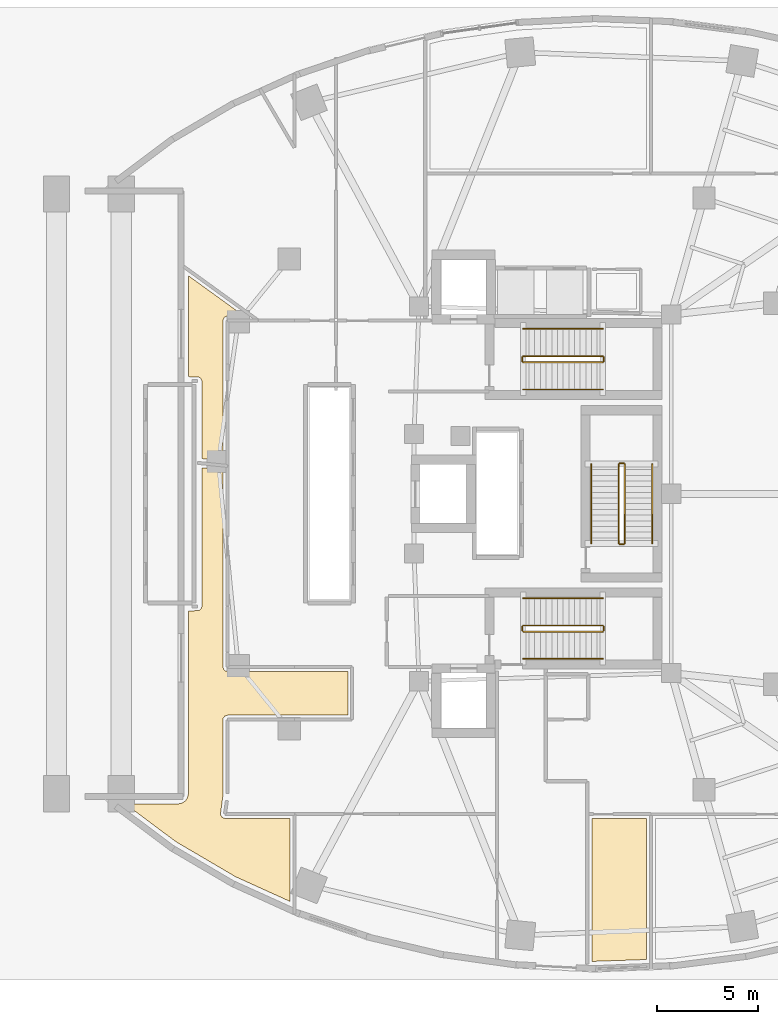
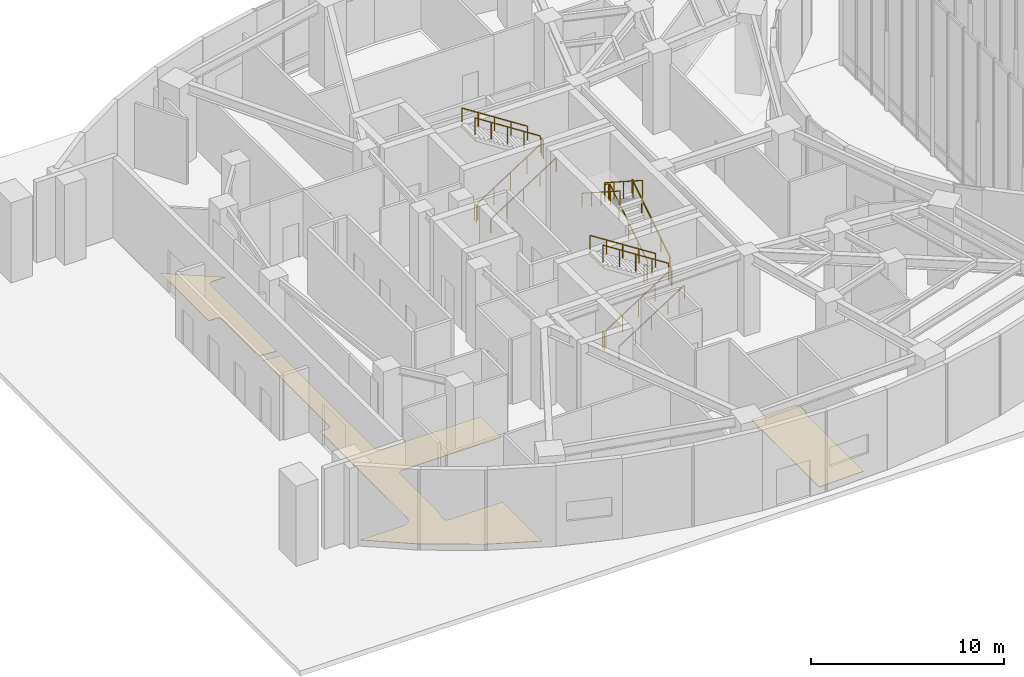
# One storey, part 24 of 28: 18 railings, 3 coverings.
"""IFC4 building model written with IfcOpenShell, lengths in metres."""

from ifc_helpers import new_model, si_unit, direction, frame, origin, origin_2d, place, context, subcontext, project, spatial, polyline, rectangle, outline, extrude, material, layer, layer_set, type_object, element, save


model = new_model("IFC4")

# Units and contexts
model_context = context("Model", 3, precision=1e-05, world=origin(), true_north=direction((0.0, 1.0)))
body_context = subcontext(model_context, "Body", "Model", "MODEL_VIEW")
ifc_project = project(units=[si_unit("LENGTHUNIT", "METRE"), si_unit("AREAUNIT", "SQUARE_METRE"), si_unit("VOLUMEUNIT", "CUBIC_METRE"), si_unit("PLANEANGLEUNIT", "RADIAN"), si_unit("MASSUNIT", "GRAM", prefix="KILO")], contexts=[model_context])

# Site, building, storey
site_placement = place(None, origin())
site = spatial("IfcSite", under=ifc_project, at=site_placement, CompositionType="ELEMENT")
building_placement = place(site_placement, origin())
building = spatial("IfcBuilding", under=site, at=building_placement, Name="Korentha Bioscience Tower", CompositionType="ELEMENT")
storey_placement = place(building_placement, origin())
storey = spatial("IfcBuildingStorey", under=building, at=storey_placement, Name="L00", CompositionType="ELEMENT", Elevation=0.0)

# Railings
ifc_material_1 = material(Name="Stainless Steel 304", Category="steel")
railing_type_1 = type_object("IfcRailingType", Name="Brushed Stainless Stair Handrail 900", PredefinedType="HANDRAIL", material=ifc_material_1)
railing_1_placement = place(storey_placement, frame((30.25, 32.14990234375, 0.179931640625)))
element("IfcRailing", 1, at=railing_1_placement, inside=storey, type_object=railing_type_1, Name="L00 ST-1 stair handrail 1", PredefinedType="HANDRAIL", context=body_context, shape_type="SweptSolid", body=[
    extrude(rectangle(XDim=0.048095703125, YDim=0.048095703125, at=origin_2d()), frame((0.0, 0.0, 0.8759765625), z_axis=(0.841171666519, 0.0, 0.540768182723), x_axis=(0.0, 1.0, 0.0)), (0.0, 0.0, 1.0), 4.66015625),
    extrude(rectangle(XDim=0.0419921875, YDim=0.0419921875, at=origin_2d()), origin(), (0.0, 0.0, 1.0), 0.851806640625),
    extrude(rectangle(XDim=0.0419921875, YDim=0.0419921875, at=origin_2d()), frame((0.97998046875, 0.0, 0.6298828125)), (0.0, 0.0, 1.0), 0.851806640625),
    extrude(rectangle(XDim=0.0419921875, YDim=0.0419921875, at=origin_2d()), frame((1.9599609375, 0.0, 1.260009765625)), (0.0, 0.0, 1.0), 0.851806640625),
    extrude(rectangle(XDim=0.0419921875, YDim=0.0419921875, at=origin_2d()), frame((2.93994140625, 0.0, 1.89013671875)), (0.0, 0.0, 1.0), 0.851806640625),
    extrude(rectangle(XDim=0.0419921875, YDim=0.0419921875, at=origin_2d()), frame((3.919921875, 0.0, 2.52001953125)), (0.0, 0.0, 1.0), 0.851806640625),
])
railing_2_placement = place(storey_placement, frame((34.169921875, 35.14990234375, 2.8798828125)))
element("IfcRailing", 2, at=railing_2_placement, inside=storey, type_object=railing_type_1, Name="L00 ST-1 stair handrail 2", PredefinedType="HANDRAIL", context=body_context, shape_type="SweptSolid", body=[
    extrude(rectangle(XDim=0.048095703125, YDim=0.048095703125, at=origin_2d()), frame((0.0, 0.0, 0.8759765625), z_axis=(-0.841171666519, 0.0, 0.540768182723), x_axis=(0.0, -1.0, 0.0)), (0.0, 0.0, 1.0), 4.66015625),
    extrude(rectangle(XDim=0.0419921875, YDim=0.0419921875, at=origin_2d()), origin(), (0.0, 0.0, 1.0), 0.851806640625),
    extrude(rectangle(XDim=0.0419921875, YDim=0.0419921875, at=origin_2d()), frame((-0.97998046875, 0.0, 0.6298828125)), (0.0, 0.0, 1.0), 0.851806640625),
    extrude(rectangle(XDim=0.0419921875, YDim=0.0419921875, at=origin_2d()), frame((-1.9599609375, 0.0, 1.260009765625)), (0.0, 0.0, 1.0), 0.851806640625),
    extrude(rectangle(XDim=0.0419921875, YDim=0.0419921875, at=origin_2d()), frame((-2.93994140625, 0.0, 1.89013671875)), (0.0, 0.0, 1.0), 0.851806640625),
    extrude(rectangle(XDim=0.0419921875, YDim=0.0419921875, at=origin_2d()), frame((-3.919921875, 0.0, 2.52001953125)), (0.0, 0.0, 1.0), 0.851806640625),
])
railing_3_placement = place(storey_placement, frame((30.25, 18.85009765625, 0.179931640625)))
element("IfcRailing", 3, at=railing_3_placement, inside=storey, type_object=railing_type_1, Name="L00 ST-2 stair handrail 1", PredefinedType="HANDRAIL", context=body_context, shape_type="SweptSolid", body=[
    extrude(rectangle(XDim=0.048095703125, YDim=0.048095703125, at=origin_2d()), frame((0.0, 0.0, 0.8759765625), z_axis=(0.841171666519, 0.0, 0.540768182723), x_axis=(0.0, 1.0, 0.0)), (0.0, 0.0, 1.0), 4.66015625),
    extrude(rectangle(XDim=0.0419921875, YDim=0.0419921875, at=origin_2d()), origin(), (0.0, 0.0, 1.0), 0.851806640625),
    extrude(rectangle(XDim=0.0419921875, YDim=0.0419921875, at=origin_2d()), frame((0.97998046875, 0.0, 0.6298828125)), (0.0, 0.0, 1.0), 0.851806640625),
    extrude(rectangle(XDim=0.0419921875, YDim=0.0419921875, at=origin_2d()), frame((1.9599609375, 0.0, 1.260009765625)), (0.0, 0.0, 1.0), 0.851806640625),
    extrude(rectangle(XDim=0.0419921875, YDim=0.0419921875, at=origin_2d()), frame((2.93994140625, 0.0, 1.89013671875)), (0.0, 0.0, 1.0), 0.851806640625),
    extrude(rectangle(XDim=0.0419921875, YDim=0.0419921875, at=origin_2d()), frame((3.919921875, 0.0, 2.52001953125)), (0.0, 0.0, 1.0), 0.851806640625),
])
railing_4_placement = place(storey_placement, frame((34.169921875, 21.85009765625, 2.8798828125)))
element("IfcRailing", 4, at=railing_4_placement, inside=storey, type_object=railing_type_1, Name="L00 ST-2 stair handrail 2", PredefinedType="HANDRAIL", context=body_context, shape_type="SweptSolid", body=[
    extrude(rectangle(XDim=0.048095703125, YDim=0.048095703125, at=origin_2d()), frame((0.0, 0.0, 0.8759765625), z_axis=(-0.841171666519, 0.0, 0.540768182723), x_axis=(0.0, -1.0, 0.0)), (0.0, 0.0, 1.0), 4.66015625),
    extrude(rectangle(XDim=0.0419921875, YDim=0.0419921875, at=origin_2d()), origin(), (0.0, 0.0, 1.0), 0.851806640625),
    extrude(rectangle(XDim=0.0419921875, YDim=0.0419921875, at=origin_2d()), frame((-0.97998046875, 0.0, 0.6298828125)), (0.0, 0.0, 1.0), 0.851806640625),
    extrude(rectangle(XDim=0.0419921875, YDim=0.0419921875, at=origin_2d()), frame((-1.9599609375, 0.0, 1.260009765625)), (0.0, 0.0, 1.0), 0.851806640625),
    extrude(rectangle(XDim=0.0419921875, YDim=0.0419921875, at=origin_2d()), frame((-2.93994140625, 0.0, 1.89013671875)), (0.0, 0.0, 1.0), 0.851806640625),
    extrude(rectangle(XDim=0.0419921875, YDim=0.0419921875, at=origin_2d()), frame((-3.919921875, 0.0, 2.52001953125)), (0.0, 0.0, 1.0), 0.851806640625),
])
railing_5_placement = place(storey_placement, frame((36.60009765625, 24.550048828125, 0.179931640625)))
element("IfcRailing", 5, at=railing_5_placement, inside=storey, type_object=railing_type_1, Name="L00 ST-3 stair handrail 1", PredefinedType="HANDRAIL", context=body_context, shape_type="SweptSolid", body=[
    extrude(rectangle(XDim=0.048095703125, YDim=0.048095703125, at=origin_2d()), frame((0.0, 0.0, 0.8759765625), z_axis=(0.0, 0.841171666519, 0.540768182723), x_axis=(-1.0, 0.0, 0.0)), (0.0, 0.0, 1.0), 4.66015625),
    extrude(rectangle(XDim=0.0419921875, YDim=0.0419921875, at=origin_2d()), origin(), (0.0, 0.0, 1.0), 0.851806640625),
    extrude(rectangle(XDim=0.0419921875, YDim=0.0419921875, at=origin_2d()), frame((0.0, 0.97998046875, 0.6298828125)), (0.0, 0.0, 1.0), 0.851806640625),
    extrude(rectangle(XDim=0.0419921875, YDim=0.0419921875, at=origin_2d()), frame((0.0, 1.9599609375, 1.260009765625)), (0.0, 0.0, 1.0), 0.851806640625),
    extrude(rectangle(XDim=0.0419921875, YDim=0.0419921875, at=origin_2d()), frame((0.0, 2.93994140625, 1.89013671875)), (0.0, 0.0, 1.0), 0.851806640625),
    extrude(rectangle(XDim=0.0419921875, YDim=0.0419921875, at=origin_2d()), frame((0.0, 3.919921875, 2.52001953125)), (0.0, 0.0, 1.0), 0.851806640625),
])
railing_6_placement = place(storey_placement, frame((33.60009765625, 28.469970703125, 2.8798828125)))
element("IfcRailing", 6, at=railing_6_placement, inside=storey, type_object=railing_type_1, Name="L00 ST-3 stair handrail 2", PredefinedType="HANDRAIL", context=body_context, shape_type="SweptSolid", body=[
    extrude(rectangle(XDim=0.048095703125, YDim=0.048095703125, at=origin_2d()), frame((0.0, 0.0, 0.8759765625), z_axis=(0.0, -0.841171666519, 0.540768182723), x_axis=(1.0, 0.0, 0.0)), (0.0, 0.0, 1.0), 4.66015625),
    extrude(rectangle(XDim=0.0419921875, YDim=0.0419921875, at=origin_2d()), origin(), (0.0, 0.0, 1.0), 0.851806640625),
    extrude(rectangle(XDim=0.0419921875, YDim=0.0419921875, at=origin_2d()), frame((0.0, -0.97998046875, 0.6298828125)), (0.0, 0.0, 1.0), 0.851806640625),
    extrude(rectangle(XDim=0.0419921875, YDim=0.0419921875, at=origin_2d()), frame((0.0, -1.9599609375, 1.260009765625)), (0.0, 0.0, 1.0), 0.851806640625),
    extrude(rectangle(XDim=0.0419921875, YDim=0.0419921875, at=origin_2d()), frame((0.0, -2.93994140625, 1.89013671875)), (0.0, 0.0, 1.0), 0.851806640625),
    extrude(rectangle(XDim=0.0419921875, YDim=0.0419921875, at=origin_2d()), frame((0.0, -3.919921875, 2.52001953125)), (0.0, 0.0, 1.0), 0.851806640625),
])

# Coverings
ifc_material_2 = material(Name="Honed Travertine Limestone", Category="masonry")
ifc_layer = layer(ifc_material_2, 0.02490234375, Name="Honed Travertine Limestone")
ifc_layer_set = layer_set([ifc_layer], Name="Honed Travertine Limestone (FL-STN)")
covering_type = type_object("IfcCoveringType", Name="Honed Travertine Lobby Stone Flooring 25", PredefinedType="FLOORING", material=ifc_layer_set)
covering_1_placement = place(storey_placement, origin())
element("IfcCovering", 7, at=covering_1_placement, inside=storey, type_object=covering_type, Name="L00 Ground Espresso & Bakery Cafe 01 Floor Finish", PredefinedType="FLOORING", context=body_context, shape_type="SweptSolid", body=[
    extrude(outline(polyline([(13.19970703125, 11.68994140625), (13.392578125, 11.727783203125), (13.554443359375, 11.83349609375), (13.666748046875, 11.99462890625), (13.70849609375, 12.1611328125), (13.7099609375, 21.219970703125), (14.22705078125, 21.2333984375), (14.33447265625, 21.3125), (14.379638671875, 21.438232421875), (14.3798828125, 28.284912109375), (15.419921875, 28.177490234375), (15.419921875, 18.453857421875), (15.451904296875, 18.339111328125), (15.529052734375, 18.26171875), (15.641357421875, 18.22998046875), (21.579833984375, 18.22998046875), (21.580078125, 16.070068359375), (15.638671875, 16.06982421875), (15.5107421875, 16.02587890625), (15.43310546875, 15.92138671875), (15.419921875, 15.845947265625), (15.41748046875, 12.1025390625), (15.30029296875, 11.231201171875), (15.30908203125, 11.135986328125), (15.3857421875, 11.02685546875), (15.5087890625, 10.98046875), (18.727783203125, 10.97998046875), (18.72802734375, 6.878173828125), (16.0458984375, 8.09521484375), (13.09619140625, 9.826171875), (10.60400390625, 11.68994140625), (13.19970703125, 11.68994140625)])), origin(), (0.0, 0.0, 1.0), 0.02490234375),
])
covering_2_placement = place(storey_placement, origin())
element("IfcCovering", 8, at=covering_2_placement, inside=storey, type_object=covering_type, Name="L00 Courier Specimen Receiving Room 03 Floor Finish", PredefinedType="FLOORING", context=body_context, shape_type="SweptSolid", body=[
    extrude(outline(polyline([(36.327880859375, 10.969970703125), (36.327880859375, 4.01123046875), (33.6298828125, 3.91748046875), (33.6298828125, 10.969970703125), (36.327880859375, 10.969970703125)])), origin(), (0.0, 0.0, 1.0), 0.02490234375),
])
covering_3_placement = place(storey_placement, origin())
element("IfcCovering", 9, at=covering_3_placement, inside=storey, type_object=covering_type, Name="L00 Ground Espresso & Bakery Cafe 09 Floor Finish", PredefinedType="FLOORING", context=body_context, shape_type="SweptSolid", body=[
    extrude(outline(polyline([(13.7099609375, 32.780029296875), (13.7099609375, 37.767578125), (16.469482421875, 35.77001953125), (15.61083984375, 35.767578125), (15.529052734375, 35.73828125), (15.478271484375, 35.696533203125), (15.42236328125, 35.57861328125), (15.419921875, 28.6298828125), (14.381103515625, 28.7373046875), (14.377685546875, 32.583251953125), (14.32080078125, 32.7041015625), (14.206298828125, 32.77294921875), (13.7099609375, 32.780029296875)])), origin(), (0.0, 0.0, 1.0), 0.02490234375),
])

# Railings
ifc_material_3 = material(Name="Painted Steel S275", Category="steel")
railing_type_2 = type_object("IfcRailingType", Name="Painted Steel Stair Well Guardrail 1100", PredefinedType="GUARDRAIL", material=ifc_material_3)
railing_7_placement = place(storey_placement, frame((30.25, 33.5, 0.179931640625)))
element("IfcRailing", 10, at=railing_7_placement, inside=storey, type_object=railing_type_2, Name="L00 ST-1 stair guard 1", PredefinedType="GUARDRAIL", context=body_context, shape_type="SweptSolid", body=[
    extrude(rectangle(XDim=0.048095703125, YDim=0.048095703125, at=origin_2d()), frame((0.0, 0.0, 1.076171875), z_axis=(0.841171666519, 0.0, 0.540768182723), x_axis=(0.0, 1.0, 0.0)), (0.0, 0.0, 1.0), 4.66015625),
    extrude(rectangle(XDim=0.0419921875, YDim=0.0419921875, at=origin_2d()), origin(), (0.0, 0.0, 1.0), 1.052001953125),
    extrude(rectangle(XDim=0.0419921875, YDim=0.0419921875, at=origin_2d()), frame((0.97998046875, 0.0, 0.6298828125)), (0.0, 0.0, 1.0), 1.052001953125),
    extrude(rectangle(XDim=0.0419921875, YDim=0.0419921875, at=origin_2d()), frame((1.9599609375, 0.0, 1.260009765625)), (0.0, 0.0, 1.0), 1.052001953125),
    extrude(rectangle(XDim=0.0419921875, YDim=0.0419921875, at=origin_2d()), frame((2.93994140625, 0.0, 1.89013671875)), (0.0, 0.0, 1.0), 1.052001953125),
    extrude(rectangle(XDim=0.0419921875, YDim=0.0419921875, at=origin_2d()), frame((3.919921875, 0.0, 2.52001953125)), (0.0, 0.0, 1.0), 1.052001953125),
])
railing_8_placement = place(storey_placement, frame((34.219970703125, 33.550048828125, 2.699951171875)))
element("IfcRailing", 11, at=railing_8_placement, inside=storey, type_object=railing_type_2, Name="L00 ST-1 stair guard 2", PredefinedType="GUARDRAIL", context=body_context, shape_type="SweptSolid", body=[
    extrude(rectangle(XDim=0.048095703125, YDim=0.048095703125, at=origin_2d()), frame((0.0, 0.0, 1.076171875), z_axis=(0.0, 1.0, 0.0), x_axis=(-1.0, 0.0, 0.0)), (0.0, 0.0, 1.0), 0.199951171875),
    extrude(rectangle(XDim=0.0419921875, YDim=0.0419921875, at=origin_2d()), origin(), (0.0, 0.0, 1.0), 1.052001953125),
    extrude(rectangle(XDim=0.0419921875, YDim=0.0419921875, at=origin_2d()), frame((0.0, 0.199951171875, 0.0)), (0.0, 0.0, 1.0), 1.052001953125),
])
railing_9_placement = place(storey_placement, frame((34.169921875, 33.800048828125, 2.8798828125)))
element("IfcRailing", 12, at=railing_9_placement, inside=storey, type_object=railing_type_2, Name="L00 ST-1 stair guard 3", PredefinedType="GUARDRAIL", context=body_context, shape_type="SweptSolid", body=[
    extrude(rectangle(XDim=0.048095703125, YDim=0.048095703125, at=origin_2d()), frame((0.0, 0.0, 1.076171875), z_axis=(-0.841171666519, 0.0, 0.540768182723), x_axis=(0.0, -1.0, 0.0)), (0.0, 0.0, 1.0), 4.66015625),
    extrude(rectangle(XDim=0.0419921875, YDim=0.0419921875, at=origin_2d()), origin(), (0.0, 0.0, 1.0), 1.052001953125),
    extrude(rectangle(XDim=0.0419921875, YDim=0.0419921875, at=origin_2d()), frame((-0.97998046875, 0.0, 0.6298828125)), (0.0, 0.0, 1.0), 1.052001953125),
    extrude(rectangle(XDim=0.0419921875, YDim=0.0419921875, at=origin_2d()), frame((-1.9599609375, 0.0, 1.260009765625)), (0.0, 0.0, 1.0), 1.052001953125),
    extrude(rectangle(XDim=0.0419921875, YDim=0.0419921875, at=origin_2d()), frame((-2.93994140625, 0.0, 1.89013671875)), (0.0, 0.0, 1.0), 1.052001953125),
    extrude(rectangle(XDim=0.0419921875, YDim=0.0419921875, at=origin_2d()), frame((-3.919921875, 0.0, 2.52001953125)), (0.0, 0.0, 1.0), 1.052001953125),
])
railing_10_placement = place(storey_placement, frame((30.199951171875, 33.550048828125, 0.0)))
element("IfcRailing", 13, at=railing_10_placement, inside=storey, type_object=railing_type_2, Name="L00 ST-1 stair guard 4", PredefinedType="GUARDRAIL", context=body_context, shape_type="SweptSolid", body=[
    extrude(rectangle(XDim=0.048095703125, YDim=0.048095703125, at=origin_2d()), frame((0.0, 0.0, 1.076171875), z_axis=(0.0, 1.0, 0.0), x_axis=(-1.0, 0.0, 0.0)), (0.0, 0.0, 1.0), 0.199951171875),
    extrude(rectangle(XDim=0.0419921875, YDim=0.0419921875, at=origin_2d()), origin(), (0.0, 0.0, 1.0), 1.052001953125),
    extrude(rectangle(XDim=0.0419921875, YDim=0.0419921875, at=origin_2d()), frame((0.0, 0.199951171875, 0.0)), (0.0, 0.0, 1.0), 1.052001953125),
])
railing_11_placement = place(storey_placement, frame((30.25, 20.199951171875, 0.179931640625)))
element("IfcRailing", 14, at=railing_11_placement, inside=storey, type_object=railing_type_2, Name="L00 ST-2 stair guard 1", PredefinedType="GUARDRAIL", context=body_context, shape_type="SweptSolid", body=[
    extrude(rectangle(XDim=0.048095703125, YDim=0.048095703125, at=origin_2d()), frame((0.0, 0.0, 1.076171875), z_axis=(0.841171666519, 0.0, 0.540768182723), x_axis=(0.0, 1.0, 0.0)), (0.0, 0.0, 1.0), 4.66015625),
    extrude(rectangle(XDim=0.0419921875, YDim=0.0419921875, at=origin_2d()), origin(), (0.0, 0.0, 1.0), 1.052001953125),
    extrude(rectangle(XDim=0.0419921875, YDim=0.0419921875, at=origin_2d()), frame((0.97998046875, 0.0, 0.6298828125)), (0.0, 0.0, 1.0), 1.052001953125),
    extrude(rectangle(XDim=0.0419921875, YDim=0.0419921875, at=origin_2d()), frame((1.9599609375, 0.0, 1.260009765625)), (0.0, 0.0, 1.0), 1.052001953125),
    extrude(rectangle(XDim=0.0419921875, YDim=0.0419921875, at=origin_2d()), frame((2.93994140625, 0.0, 1.89013671875)), (0.0, 0.0, 1.0), 1.052001953125),
    extrude(rectangle(XDim=0.0419921875, YDim=0.0419921875, at=origin_2d()), frame((3.919921875, 0.0, 2.52001953125)), (0.0, 0.0, 1.0), 1.052001953125),
])
railing_12_placement = place(storey_placement, frame((34.219970703125, 20.25, 2.699951171875)))
element("IfcRailing", 15, at=railing_12_placement, inside=storey, type_object=railing_type_2, Name="L00 ST-2 stair guard 2", PredefinedType="GUARDRAIL", context=body_context, shape_type="SweptSolid", body=[
    extrude(rectangle(XDim=0.048095703125, YDim=0.048095703125, at=origin_2d()), frame((0.0, 0.0, 1.076171875), z_axis=(0.0, 1.0, 0.0), x_axis=(-1.0, 0.0, 0.0)), (0.0, 0.0, 1.0), 0.199951171875),
    extrude(rectangle(XDim=0.0419921875, YDim=0.0419921875, at=origin_2d()), origin(), (0.0, 0.0, 1.0), 1.052001953125),
    extrude(rectangle(XDim=0.0419921875, YDim=0.0419921875, at=origin_2d()), frame((0.0, 0.199951171875, 0.0)), (0.0, 0.0, 1.0), 1.052001953125),
])
railing_13_placement = place(storey_placement, frame((34.169921875, 20.5, 2.8798828125)))
element("IfcRailing", 16, at=railing_13_placement, inside=storey, type_object=railing_type_2, Name="L00 ST-2 stair guard 3", PredefinedType="GUARDRAIL", context=body_context, shape_type="SweptSolid", body=[
    extrude(rectangle(XDim=0.048095703125, YDim=0.048095703125, at=origin_2d()), frame((0.0, 0.0, 1.076171875), z_axis=(-0.841171666519, 0.0, 0.540768182723), x_axis=(0.0, -1.0, 0.0)), (0.0, 0.0, 1.0), 4.66015625),
    extrude(rectangle(XDim=0.0419921875, YDim=0.0419921875, at=origin_2d()), origin(), (0.0, 0.0, 1.0), 1.052001953125),
    extrude(rectangle(XDim=0.0419921875, YDim=0.0419921875, at=origin_2d()), frame((-0.97998046875, 0.0, 0.6298828125)), (0.0, 0.0, 1.0), 1.052001953125),
    extrude(rectangle(XDim=0.0419921875, YDim=0.0419921875, at=origin_2d()), frame((-1.9599609375, 0.0, 1.260009765625)), (0.0, 0.0, 1.0), 1.052001953125),
    extrude(rectangle(XDim=0.0419921875, YDim=0.0419921875, at=origin_2d()), frame((-2.93994140625, 0.0, 1.89013671875)), (0.0, 0.0, 1.0), 1.052001953125),
    extrude(rectangle(XDim=0.0419921875, YDim=0.0419921875, at=origin_2d()), frame((-3.919921875, 0.0, 2.52001953125)), (0.0, 0.0, 1.0), 1.052001953125),
])
railing_14_placement = place(storey_placement, frame((30.199951171875, 20.25, 0.0)))
element("IfcRailing", 17, at=railing_14_placement, inside=storey, type_object=railing_type_2, Name="L00 ST-2 stair guard 4", PredefinedType="GUARDRAIL", context=body_context, shape_type="SweptSolid", body=[
    extrude(rectangle(XDim=0.048095703125, YDim=0.048095703125, at=origin_2d()), frame((0.0, 0.0, 1.076171875), z_axis=(0.0, 1.0, 0.0), x_axis=(-1.0, 0.0, 0.0)), (0.0, 0.0, 1.0), 0.199951171875),
    extrude(rectangle(XDim=0.0419921875, YDim=0.0419921875, at=origin_2d()), origin(), (0.0, 0.0, 1.0), 1.052001953125),
    extrude(rectangle(XDim=0.0419921875, YDim=0.0419921875, at=origin_2d()), frame((0.0, 0.199951171875, 0.0)), (0.0, 0.0, 1.0), 1.052001953125),
])
railing_15_placement = place(storey_placement, frame((35.25, 24.550048828125, 0.179931640625)))
element("IfcRailing", 18, at=railing_15_placement, inside=storey, type_object=railing_type_2, Name="L00 ST-3 stair guard 1", PredefinedType="GUARDRAIL", context=body_context, shape_type="SweptSolid", body=[
    extrude(rectangle(XDim=0.048095703125, YDim=0.048095703125, at=origin_2d()), frame((0.0, 0.0, 1.076171875), z_axis=(0.0, 0.841171666519, 0.540768182723), x_axis=(-1.0, 0.0, 0.0)), (0.0, 0.0, 1.0), 4.66015625),
    extrude(rectangle(XDim=0.0419921875, YDim=0.0419921875, at=origin_2d()), origin(), (0.0, 0.0, 1.0), 1.052001953125),
    extrude(rectangle(XDim=0.0419921875, YDim=0.0419921875, at=origin_2d()), frame((0.0, 0.97998046875, 0.6298828125)), (0.0, 0.0, 1.0), 1.052001953125),
    extrude(rectangle(XDim=0.0419921875, YDim=0.0419921875, at=origin_2d()), frame((0.0, 1.9599609375, 1.260009765625)), (0.0, 0.0, 1.0), 1.052001953125),
    extrude(rectangle(XDim=0.0419921875, YDim=0.0419921875, at=origin_2d()), frame((0.0, 2.93994140625, 1.89013671875)), (0.0, 0.0, 1.0), 1.052001953125),
    extrude(rectangle(XDim=0.0419921875, YDim=0.0419921875, at=origin_2d()), frame((0.0, 3.919921875, 2.52001953125)), (0.0, 0.0, 1.0), 1.052001953125),
])
railing_16_placement = place(storey_placement, frame((35.199951171875, 28.52001953125, 2.699951171875)))
element("IfcRailing", 19, at=railing_16_placement, inside=storey, type_object=railing_type_2, Name="L00 ST-3 stair guard 2", PredefinedType="GUARDRAIL", context=body_context, shape_type="SweptSolid", body=[
    extrude(rectangle(XDim=0.048095703125, YDim=0.048095703125, at=origin_2d()), frame((0.0, 0.0, 1.076171875), z_axis=(-1.0, 0.0, 0.0), x_axis=(0.0, -1.0, 0.0)), (0.0, 0.0, 1.0), 0.199951171875),
    extrude(rectangle(XDim=0.0419921875, YDim=0.0419921875, at=origin_2d()), origin(), (0.0, 0.0, 1.0), 1.052001953125),
    extrude(rectangle(XDim=0.0419921875, YDim=0.0419921875, at=origin_2d()), frame((-0.199951171875, 0.0, 0.0)), (0.0, 0.0, 1.0), 1.052001953125),
])
railing_17_placement = place(storey_placement, frame((34.949951171875, 28.469970703125, 2.8798828125)))
element("IfcRailing", 20, at=railing_17_placement, inside=storey, type_object=railing_type_2, Name="L00 ST-3 stair guard 3", PredefinedType="GUARDRAIL", context=body_context, shape_type="SweptSolid", body=[
    extrude(rectangle(XDim=0.048095703125, YDim=0.048095703125, at=origin_2d()), frame((0.0, 0.0, 1.076171875), z_axis=(0.0, -0.841171666519, 0.540768182723), x_axis=(1.0, 0.0, 0.0)), (0.0, 0.0, 1.0), 4.66015625),
    extrude(rectangle(XDim=0.0419921875, YDim=0.0419921875, at=origin_2d()), origin(), (0.0, 0.0, 1.0), 1.052001953125),
    extrude(rectangle(XDim=0.0419921875, YDim=0.0419921875, at=origin_2d()), frame((0.0, -0.97998046875, 0.6298828125)), (0.0, 0.0, 1.0), 1.052001953125),
    extrude(rectangle(XDim=0.0419921875, YDim=0.0419921875, at=origin_2d()), frame((0.0, -1.9599609375, 1.260009765625)), (0.0, 0.0, 1.0), 1.052001953125),
    extrude(rectangle(XDim=0.0419921875, YDim=0.0419921875, at=origin_2d()), frame((0.0, -2.93994140625, 1.89013671875)), (0.0, 0.0, 1.0), 1.052001953125),
    extrude(rectangle(XDim=0.0419921875, YDim=0.0419921875, at=origin_2d()), frame((0.0, -3.919921875, 2.52001953125)), (0.0, 0.0, 1.0), 1.052001953125),
])
railing_18_placement = place(storey_placement, frame((35.199951171875, 24.5, 0.0)))
element("IfcRailing", 21, at=railing_18_placement, inside=storey, type_object=railing_type_2, Name="L00 ST-3 stair guard 4", PredefinedType="GUARDRAIL", context=body_context, shape_type="SweptSolid", body=[
    extrude(rectangle(XDim=0.048095703125, YDim=0.048095703125, at=origin_2d()), frame((0.0, 0.0, 1.076171875), z_axis=(-1.0, 0.0, 0.0), x_axis=(0.0, -1.0, 0.0)), (0.0, 0.0, 1.0), 0.199951171875),
    extrude(rectangle(XDim=0.0419921875, YDim=0.0419921875, at=origin_2d()), origin(), (0.0, 0.0, 1.0), 1.052001953125),
    extrude(rectangle(XDim=0.0419921875, YDim=0.0419921875, at=origin_2d()), frame((-0.199951171875, 0.0, 0.0)), (0.0, 0.0, 1.0), 1.052001953125),
])

save(model, "model.ifc")
